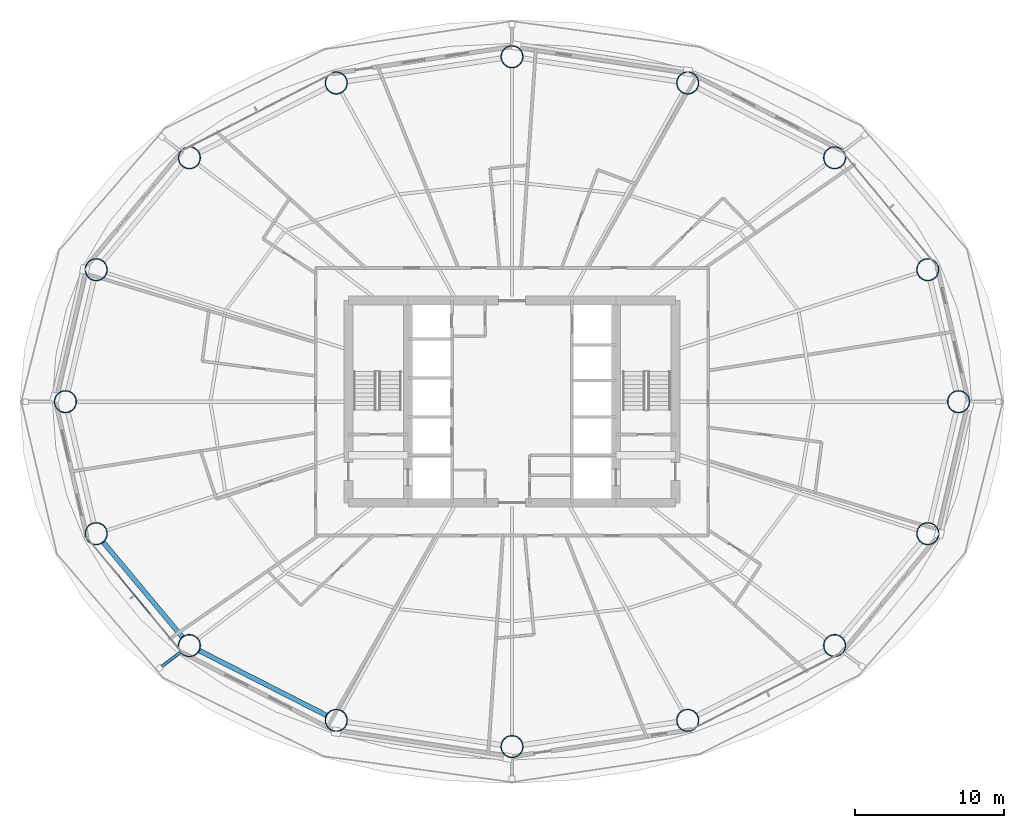
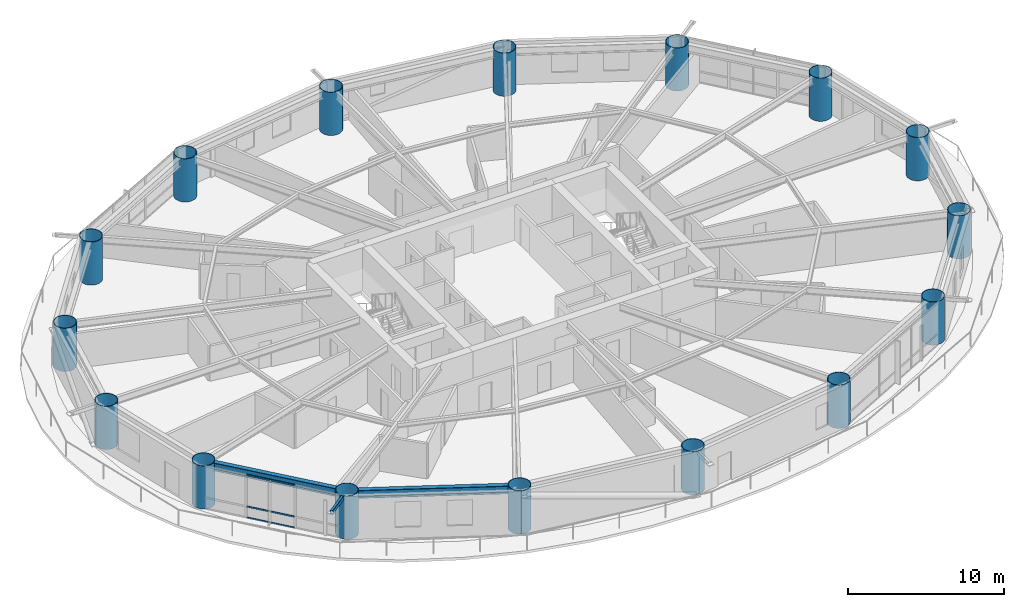
# One storey, part 1 of 26: 16 columns, 4 members, 2 beams, 1 element without a shape of its own.
"""IFC4 building model written with IfcOpenShell, lengths in metres."""

from ifc_helpers import new_model, si_unit, direction, frame, origin, origin_2d, place, context, subcontext, project, spatial, hollow_rectangle, hollow_circle, i_section, extrude, material, layer, layer_set, material_profile, profile_set, type_object, element, aggregate, save


model = new_model("IFC4")

# Units and contexts
model_context = context("Model", 3, precision=1e-05, world=origin(), true_north=direction((0.0, 1.0)))
body_context = subcontext(model_context, "Body", "Model", "MODEL_VIEW")
ifc_project = project(units=[si_unit("LENGTHUNIT", "METRE"), si_unit("AREAUNIT", "SQUARE_METRE"), si_unit("VOLUMEUNIT", "CUBIC_METRE"), si_unit("PLANEANGLEUNIT", "RADIAN"), si_unit("MASSUNIT", "GRAM", prefix="KILO")], contexts=[model_context])

# Site, building, storey
site_placement = place(None, origin())
site = spatial("IfcSite", under=ifc_project, at=site_placement, CompositionType="ELEMENT")
building_placement = place(site_placement, origin())
building = spatial("IfcBuilding", under=site, at=building_placement, Name="Sarneth Arch Tower", CompositionType="ELEMENT")
storey_placement = place(building_placement, frame((0.0, 0.0, 64.199951171875)))
storey = spatial("IfcBuildingStorey", under=building, at=storey_placement, Name="L15", CompositionType="ELEMENT", Elevation=64.199951171875)

# Columns
ifc_material_1 = material(Name="Steel S355", Category="steel")
ifc_material_profile_1 = material_profile(ifc_material_1, hollow_circle(Radius=0.75, WallThickness=0.0400390625, at=origin_2d()), Name="CHS1500x40")
ifc_profile_set_1 = profile_set([ifc_material_profile_1], Name="Steel S355")
column_type = type_object("IfcColumnType", Name="COL-MEGA-1500", PredefinedType="COLUMN", material=ifc_profile_set_1)
for number, where, z_axis, x_axis, name in (
    (1, (78.034912109375, 42.0, 0.0), (0.0, 0.0, 1.0), (1.0, 0.0, 0.0), "L15 Perimeter mega-column M01"),
    (2, (75.965576171875, 50.878173828125, 0.0), (0.0, 0.0, 1.0), (1.0, 0.0, 0.0), "L15 Perimeter mega-column M02"),
    (3, (69.696533203125, 58.40478515625, 0.0), (0.0, 0.0, 1.0), (1.0, 0.0, 0.0), "L15 Perimeter mega-column M03"),
    (4, (59.81787109375, 63.43408203125, 0.0), (0.0, 0.0, 1.0), (1.0, 0.0, 0.0), "L15 Perimeter mega-column M04"),
    (5, (48.0, 65.199951171875, 0.0), (0.0, 0.0, 1.0), (1.0, 0.0, 0.0), "L15 Perimeter mega-column M05"),
    (6, (36.18212890625, 63.43408203125, 0.0), (0.0, 0.0, 1.0), (1.0, 0.0, 0.0), "L15 Perimeter mega-column M06"),
    (7, (26.303466796875, 58.40478515625, 0.0), (0.0, 0.0, 1.0), (1.0, 0.0, 0.0), "L15 Perimeter mega-column M07"),
    (8, (20.034423828125, 50.878173828125, 0.0), (0.0, 0.0, 1.0), (1.0, 0.0, 0.0), "L15 Perimeter mega-column M08"),
    (9, (17.965087890625, 42.0, 0.0), (0.0, 0.0, 1.0), (1.0, 0.0, 0.0), "L15 Perimeter mega-column M09"),
    (10, (20.034423828125, 33.121826171875, 0.0), (0.0, 0.0, 1.0), (1.0, 0.0, 0.0), "L15 Perimeter mega-column M10"),
    (11, (26.303466796875, 25.59521484375, 0.0), (0.0, 0.0, 1.0), (1.0, 0.0, 0.0), "L15 Perimeter mega-column M11"),
    (12, (36.18212890625, 20.56591796875, 0.0), (0.0, 0.0, 1.0), (1.0, 0.0, 0.0), "L15 Perimeter mega-column M12"),
    (13, (48.0, 18.800048828125, 0.0), (0.0, 0.0, 1.0), (1.0, 0.0, 0.0), "L15 Perimeter mega-column M13"),
    (14, (59.81787109375, 20.56591796875, 0.0), (0.0, 0.0, 1.0), (1.0, 0.0, 0.0), "L15 Perimeter mega-column M14"),
    (15, (69.696533203125, 25.59521484375, 0.0), (0.0, 0.0, 1.0), (1.0, 0.0, 0.0), "L15 Perimeter mega-column M15"),
    (16, (75.965576171875, 33.121826171875, 0.0), (0.0, 0.0, 1.0), (1.0, 0.0, 0.0), "L15 Perimeter mega-column M16"),
):
    element("IfcColumn", number, at=place(storey_placement, frame(where, z_axis=z_axis, x_axis=x_axis)), inside=storey, type_object=column_type, Name=name, PredefinedType="COLUMN", context=body_context, shape_type="SweptSolid", body=[
        extrude(hollow_circle(Radius=0.75, WallThickness=0.0400390625, at=origin_2d()), origin(), (0.0, 0.0, 1.0), 3.380126953125),
    ])

# Beams
ifc_material_2 = material(Name="Steel S355", Category="steel")
ifc_material_profile_2 = material_profile(ifc_material_2, i_section(OverallWidth=0.326904296875, OverallDepth=0.6220703125, WebThickness=0.015380859375, FlangeThickness=0.0244140625, FilletRadius=0.01904296875, at=origin_2d()), Name="W610x195")
ifc_profile_set_2 = profile_set([ifc_material_profile_2], Name="Steel S355")
beam_type = type_object("IfcBeamType", Name="BM-SPAN-610A", PredefinedType="SPANDREL", material=ifc_profile_set_2)
beam_1_placement = place(storey_placement, frame((20.514404296875, 32.54541015625, 3.069091796875), z_axis=(0.639981736251, -0.768390120489, 0.0), x_axis=(0.768390120489, 0.639981736251, 0.0)))
element("IfcBeam", 17, at=beam_1_placement, inside=storey, type_object=beam_type, Name="L15 Perimeter spandrel beam 10", PredefinedType="SPANDREL", context=body_context, shape_type="SweptSolid", body=[
    extrude(i_section(OverallWidth=0.326904296875, OverallDepth=0.6220703125, WebThickness=0.015380859375, FlangeThickness=0.0244140625, FilletRadius=0.01904296875, at=origin_2d()), origin(), (0.0, 0.0, 1.0), 8.29541015625),
])
beam_2_placement = place(storey_placement, frame((26.9716796875, 25.2548828125, 3.069091796875), z_axis=(0.891169106887, -0.453671271882, 0.0), x_axis=(0.453671271882, 0.891169106887, 0.0)))
element("IfcBeam", 18, at=beam_2_placement, inside=storey, type_object=beam_type, Name="L15 Perimeter spandrel beam 11", PredefinedType="SPANDREL", context=body_context, shape_type="SweptSolid", body=[
    extrude(i_section(OverallWidth=0.326904296875, OverallDepth=0.6220703125, WebThickness=0.015380859375, FlangeThickness=0.0244140625, FilletRadius=0.01904296875, at=origin_2d()), origin(), (0.0, 0.0, 1.0), 9.58544921875),
])

# Curtain wall, members
ifc_material_3 = material(Name="Anodised aluminium Type AA25 and solar-control low-e laminated IGU", Category="aluminium")
ifc_layer = layer(ifc_material_3, 0.159912109375)
ifc_layer_set = layer_set([ifc_layer], Name="Anodised aluminium Type AA25 and solar-control low-e laminated IGU")
curtain_wall_type = type_object("IfcCurtainWallType", Name="CW-HOTEL-LOW", PredefinedType="NOTDEFINED", material=ifc_layer_set)
curtain_wall_placement = place(storey_placement, origin())
curtain_wall = element("IfcCurtainWall", 19, at=curtain_wall_placement, inside=storey, type_object=curtain_wall_type, Name="L15 Unitised curtain wall facet 10", PredefinedType="NOTDEFINED")
ifc_material_4 = material(Name="Anodised Aluminium 6063-T6", Category="aluminium")
ifc_material_profile_3 = material_profile(ifc_material_4, hollow_rectangle(XDim=0.06005859375, YDim=0.1201171875, WallThickness=0.00390625, at=origin_2d()), Name="AL-TRAN-120x60x4")
ifc_profile_set_3 = profile_set([ifc_material_profile_3], Name="Anodised Aluminium 6063-T6")
member_type_1 = type_object("IfcMemberType", Name="CW-TRANSOM", PredefinedType="USERDEFINED", material=ifc_profile_set_3)
member_1_placement = place(storey_placement, frame((21.57373046875, 30.256103515625, 0.030029296875), z_axis=(0.637268595771, -0.770641769465, 0.0), x_axis=(0.770641769465, 0.637268595771, 0.0)))
member_1 = element("IfcMember", 20, at=member_1_placement, type_object=member_type_1, Name="CW-SYS-3 transom 2.1", ObjectType="TRANSOM", PredefinedType="USERDEFINED", context=body_context, shape_type="SweptSolid", body=[
    extrude(hollow_rectangle(XDim=0.06005859375, YDim=0.1201171875, WallThickness=0.00390625, at=origin_2d()), origin(), (0.0, 0.0, 1.0), 3.291259765625),
])
member_2_placement = place(storey_placement, frame((21.57373046875, 30.256103515625, 0.900146484375), z_axis=(0.637268595771, -0.770641769465, 0.0), x_axis=(0.770641769465, 0.637268595771, 0.0)))
member_2 = element("IfcMember", 21, at=member_2_placement, type_object=member_type_1, Name="CW-SYS-3 transom 2.2", ObjectType="TRANSOM", PredefinedType="USERDEFINED", context=body_context, shape_type="SweptSolid", body=[
    extrude(hollow_rectangle(XDim=0.06005859375, YDim=0.1201171875, WallThickness=0.00390625, at=origin_2d()), origin(), (0.0, 0.0, 1.0), 3.291259765625),
])
member_3_placement = place(storey_placement, frame((21.57373046875, 30.256103515625, 3.35009765625), z_axis=(0.637268595771, -0.770641769465, 0.0), x_axis=(0.770641769465, 0.637268595771, 0.0)))
member_3 = element("IfcMember", 22, at=member_3_placement, type_object=member_type_1, Name="CW-SYS-3 transom 2.3", ObjectType="TRANSOM", PredefinedType="USERDEFINED", context=body_context, shape_type="SweptSolid", body=[
    extrude(hollow_rectangle(XDim=0.06005859375, YDim=0.1201171875, WallThickness=0.00390625, at=origin_2d()), origin(), (0.0, 0.0, 1.0), 3.291259765625),
])
aggregate(curtain_wall, [member_1, member_2, member_3])

# Member
ifc_material_5 = material(Name="Steel S355", Category="steel")
ifc_material_profile_4 = material_profile(ifc_material_5, hollow_rectangle(XDim=0.199951171875, YDim=0.300048828125, WallThickness=0.012451171875, InnerFilletRadius=0.018798828125, OuterFilletRadius=0.03125, at=origin_2d()), Name="RHS300x200x12.5")
ifc_profile_set_4 = profile_set([ifc_material_profile_4], Name="Steel S355")
member_type_2 = type_object("IfcMemberType", Name="MEM-CANT-STRUT", PredefinedType="STRUT", material=ifc_profile_set_4)
member_4_placement = place(storey_placement, frame((25.705078125, 25.142822265625, 3.219970703125), z_axis=(-0.797670609585, -0.603093358116, 0.0), x_axis=(0.603093358116, -0.797670609585, 0.0)))
element("IfcMember", 23, at=member_4_placement, inside=storey, type_object=member_type_2, Name="L15 Balcony cantilever bracket 11", PredefinedType="STRUT", context=body_context, shape_type="SweptSolid", body=[
    extrude(hollow_rectangle(XDim=0.199951171875, YDim=0.300048828125, WallThickness=0.012451171875, InnerFilletRadius=0.018798828125, OuterFilletRadius=0.03125, at=origin_2d()), origin(), (0.0, 0.0, 1.0), 1.77783203125),
])

save(model, "model.ifc")
